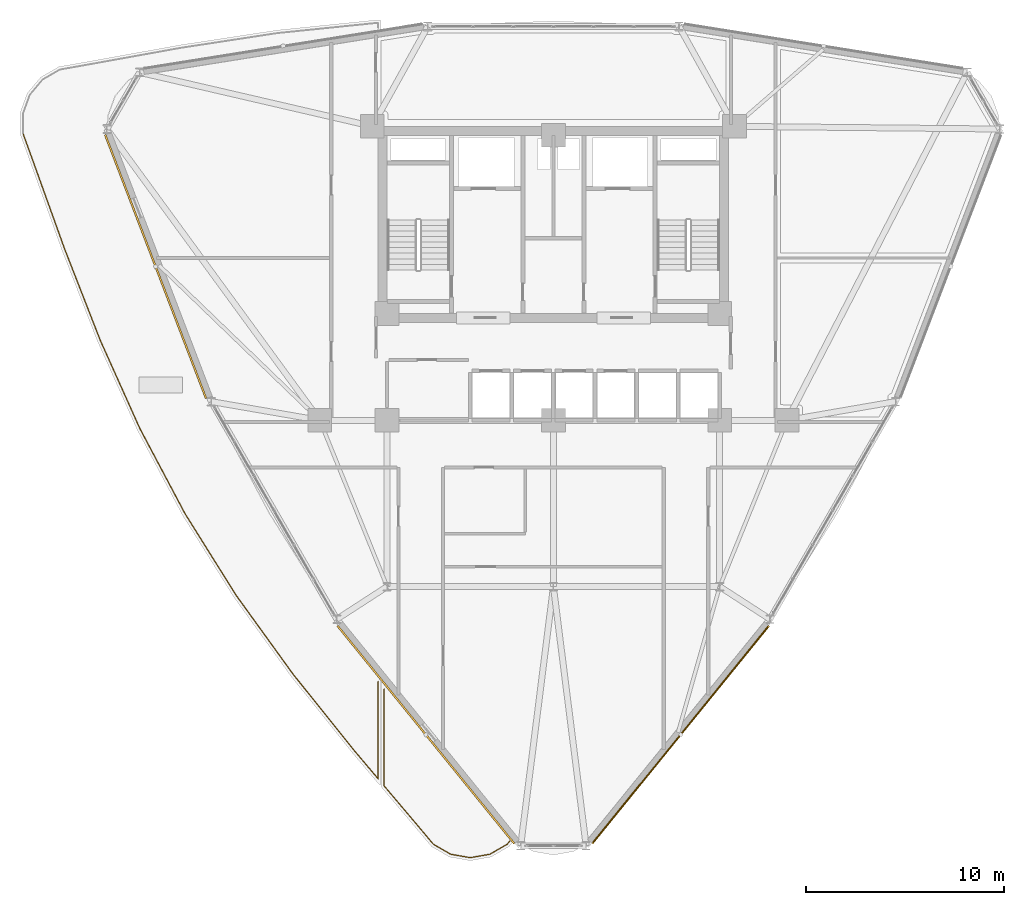
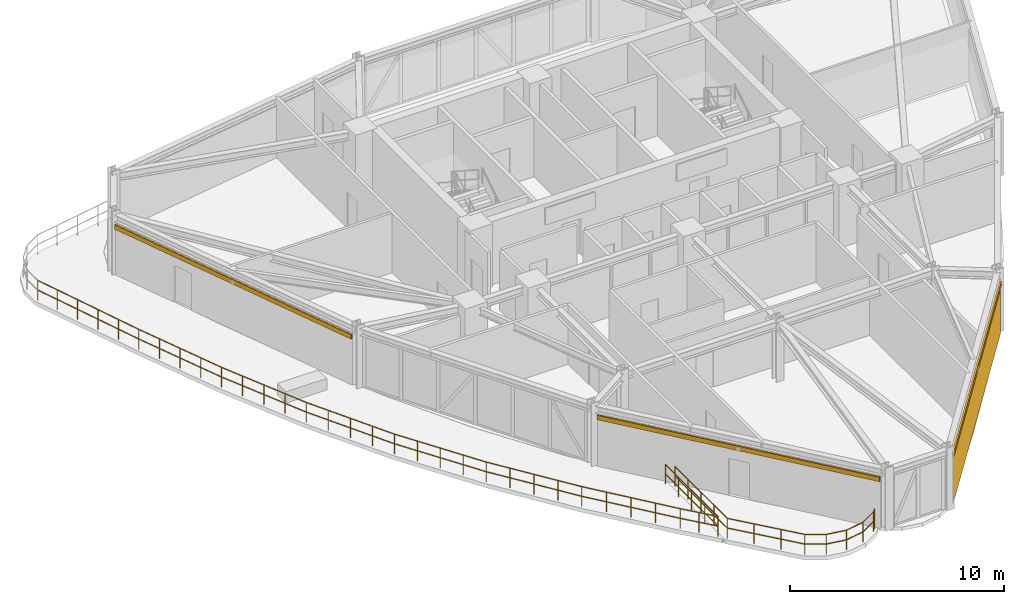
# One storey, part 16 of 18: 3 shading devices, 2 railings, 1 covering.
"""IFC4 building model written with IfcOpenShell, lengths in metres."""

from ifc_helpers import new_model, si_unit, derived_unit, direction, frame, origin, origin_2d, place, context, subcontext, project, spatial, polyline, hollow_rectangle, circle, outline, extrude, source, transform, mapped, material, layer, layer_set, material_profile, profile_set, type_object, element, save


model = new_model("IFC4")

# Units and contexts
model_context = context("Model", 3, precision=1e-05, world=origin(), true_north=direction((0.0, 1.0)))
body_context = subcontext(model_context, "Body", "Model", "MODEL_VIEW")
ifc_project = project(units=[si_unit("LENGTHUNIT", "METRE"), si_unit("AREAUNIT", "SQUARE_METRE"), si_unit("VOLUMEUNIT", "CUBIC_METRE"), si_unit("PLANEANGLEUNIT", "RADIAN"), si_unit("MASSUNIT", "GRAM", prefix="KILO"), derived_unit("THERMALTRANSMITTANCEUNIT", [(si_unit("POWERUNIT", "WATT"), 1), (si_unit("LENGTHUNIT", "METRE"), -2), (si_unit("THERMODYNAMICTEMPERATUREUNIT", "KELVIN"), -1)])], contexts=[model_context])

# Site, building, storey
site_placement = place(None, origin())
site = spatial("IfcSite", under=ifc_project, at=site_placement, CompositionType="ELEMENT")
building_placement = place(site_placement, origin())
building = spatial("IfcBuilding", under=site, at=building_placement, Name="Korsvarv Bourse and Concert Hall", CompositionType="ELEMENT")
storey_placement = place(building_placement, frame((0.0, 0.0, 168.60009765625)))
storey = spatial("IfcBuildingStorey", under=building, at=storey_placement, Name="L43", CompositionType="ELEMENT", Elevation=168.60009765625)

# Covering
ifc_material_1 = material(Name="Warm iron-oxide extruded terracotta rainscreen tile", Category="ceramic")
ifc_layer = layer(ifc_material_1, 0.044921875)
ifc_layer_set = layer_set([ifc_layer], Name="Warm iron-oxide extruded terracotta rainscreen tile")
covering_type = type_object("IfcCoveringType", Name="COV-CLD-TC", PredefinedType="CLADDING", material=ifc_layer_set)
covering_placement = place(storey_placement, origin())
element("IfcCovering", 1, at=covering_placement, inside=storey, type_object=covering_type, Name="L43 fluted terracotta cladding panel EW-L43-B10", PredefinedType="CLADDING", context=body_context, shape_type="SweptSolid", body=[
    extrude(outline(polyline([(37.9873046875, 11.110107421875), (46.8134765625, 21.986572265625), (46.848388671875, 21.958251953125), (38.0224609375, 11.081787109375), (37.9873046875, 11.110107421875)])), origin(), (0.0, 0.0, 1.0), 2.679931640625),
])

# Railings
ifc_material_2 = material(Name="Laminated safety glass and stainless Steel S355 balustrade", Category="steel")
railing_type = type_object("IfcRailingType", Name="RL-BAL-EXT", PredefinedType="BALUSTRADE", material=ifc_material_2)
railing_1_placement = place(storey_placement, frame((27.14990234375, 19.2099609375, 0.0)))
element("IfcRailing", 2, at=railing_1_placement, inside=storey, type_object=railing_type, Name="L43 terrace perimeter balustrade SKYG1-2", PredefinedType="BALUSTRADE", context=body_context, shape_type="SweptSolid", body=[
    extrude(circle(Radius=0.02392578125, at=origin_2d()), frame((0.0, 0.0, 1.1259765625), z_axis=(0.0, -1.0, 0.0), x_axis=(1.0, 0.0, 0.0)), (0.0, 0.0, 1.0), 4.9208984375),
    extrude(circle(Radius=0.02392578125, at=origin_2d()), frame((0.0, 0.0, 0.574951171875), z_axis=(0.0, -1.0, 0.0), x_axis=(1.0, 0.0, 0.0)), (0.0, 0.0, 1.0), 4.9208984375),
    extrude(circle(Radius=0.02392578125, at=origin_2d()), frame((0.0, -4.9208984375, 1.1259765625), z_axis=(-0.645696663523, 0.763594014326, 0.0), x_axis=(-0.763594014326, -0.645696663523, 0.0)), (0.0, 0.0, 1.0), 1.8720703125),
    extrude(circle(Radius=0.02392578125, at=origin_2d()), frame((0.0, -4.9208984375, 0.574951171875), z_axis=(-0.645696663523, 0.763594014326, 0.0), x_axis=(-0.763594014326, -0.645696663523, 0.0)), (0.0, 0.0, 1.0), 1.8720703125),
    extrude(circle(Radius=0.02392578125, at=origin_2d()), frame((-1.208740234375, -3.491455078125, 1.1259765625), z_axis=(-0.625121852255, 0.780527174308, 0.0), x_axis=(-0.780527174308, -0.625121852255, 0.0)), (0.0, 0.0, 1.0), 4.95166015625),
    extrude(circle(Radius=0.02392578125, at=origin_2d()), frame((-1.208740234375, -3.491455078125, 0.574951171875), z_axis=(-0.625121852255, 0.780527174308, 0.0), x_axis=(-0.780527174308, -0.625121852255, 0.0)), (0.0, 0.0, 1.0), 4.95166015625),
    extrude(circle(Radius=0.02392578125, at=origin_2d()), frame((-4.30419921875, 0.37353515625, 1.1259765625), z_axis=(-0.585399637285, 0.810744882603, 0.0), x_axis=(-0.810744882603, -0.585399637285, 0.0)), (0.0, 0.0, 1.0), 4.90234375),
    extrude(circle(Radius=0.02392578125, at=origin_2d()), frame((-4.30419921875, 0.37353515625, 0.574951171875), z_axis=(-0.585399637285, 0.810744882603, 0.0), x_axis=(-0.810744882603, -0.585399637285, 0.0)), (0.0, 0.0, 1.0), 4.90234375),
    extrude(circle(Radius=0.02392578125, at=origin_2d()), frame((-7.174072265625, 4.34814453125, 1.1259765625), z_axis=(-0.530724906516, 0.847544142569, 0.0), x_axis=(-0.847544142569, -0.530724906516, 0.0)), (0.0, 0.0, 1.0), 4.865478515625),
    extrude(circle(Radius=0.02392578125, at=origin_2d()), frame((-7.174072265625, 4.34814453125, 0.574951171875), z_axis=(-0.530724906516, 0.847544142569, 0.0), x_axis=(-0.847544142569, -0.530724906516, 0.0)), (0.0, 0.0, 1.0), 4.865478515625),
    extrude(circle(Radius=0.02392578125, at=origin_2d()), frame((-9.75634765625, 8.471923828125, 1.1259765625), z_axis=(-0.46863193541, 0.883393518832, 0.0), x_axis=(-0.883393518832, -0.46863193541, 0.0)), (0.0, 0.0, 1.0), 4.867431640625),
    extrude(circle(Radius=0.02392578125, at=origin_2d()), frame((-9.75634765625, 8.471923828125, 0.574951171875), z_axis=(-0.46863193541, 0.883393518832, 0.0), x_axis=(-0.883393518832, -0.46863193541, 0.0)), (0.0, 0.0, 1.0), 4.867431640625),
    extrude(circle(Radius=0.02392578125, at=origin_2d()), frame((-12.037353515625, 12.771728515625, 1.1259765625), z_axis=(-0.409432140551, 0.912340573626, 0.0), x_axis=(-0.912340573626, -0.409432140551, 0.0)), (0.0, 0.0, 1.0), 4.899658203125),
    extrude(circle(Radius=0.02392578125, at=origin_2d()), frame((-12.037353515625, 12.771728515625, 0.574951171875), z_axis=(-0.409432140551, 0.912340573626, 0.0), x_axis=(-0.912340573626, -0.409432140551, 0.0)), (0.0, 0.0, 1.0), 4.899658203125),
    extrude(circle(Radius=0.02392578125, at=origin_2d()), frame((-14.04345703125, 17.241943359375, 1.1259765625), z_axis=(-0.363392314948, 0.931636208741, 0.0), x_axis=(-0.931636208741, -0.363392314948, 0.0)), (0.0, 0.0, 1.0), 4.95556640625),
    extrude(circle(Radius=0.02392578125, at=origin_2d()), frame((-14.04345703125, 17.241943359375, 0.574951171875), z_axis=(-0.363392314948, 0.931636208741, 0.0), x_axis=(-0.931636208741, -0.363392314948, 0.0)), (0.0, 0.0, 1.0), 4.95556640625),
    extrude(circle(Radius=0.02392578125, at=origin_2d()), frame((-15.84423828125, 21.858642578125, 1.1259765625), z_axis=(-0.33841692186, 0.940996273637, 0.0), x_axis=(-0.940996273637, -0.33841692186, 0.0)), (0.0, 0.0, 1.0), 5.0009765625),
    extrude(circle(Radius=0.02392578125, at=origin_2d()), frame((-15.84423828125, 21.858642578125, 0.574951171875), z_axis=(-0.33841692186, 0.940996273637, 0.0), x_axis=(-0.940996273637, -0.33841692186, 0.0)), (0.0, 0.0, 1.0), 5.0009765625),
    extrude(circle(Radius=0.02392578125, at=origin_2d()), frame((-17.53662109375, 26.564453125, 1.1259765625), z_axis=(-0.342006458513, 0.939697601538, 0.0), x_axis=(-0.939697601538, -0.342006458513, 0.0)), (0.0, 0.0, 1.0), 1.190673828125),
    extrude(circle(Radius=0.02392578125, at=origin_2d()), frame((-17.53662109375, 26.564453125, 0.574951171875), z_axis=(-0.342006458513, 0.939697601538, 0.0), x_axis=(-0.939697601538, -0.342006458513, 0.0)), (0.0, 0.0, 1.0), 1.190673828125),
    extrude(circle(Radius=0.02099609375, at=origin_2d()), origin(), (0.0, 0.0, 1.0), 1.101806640625),
    extrude(circle(Radius=0.02099609375, at=origin_2d()), frame((0.0, -1.230224609375, 0.0)), (0.0, 0.0, 1.0), 1.101806640625),
    extrude(circle(Radius=0.02099609375, at=origin_2d()), frame((0.0, -2.46044921875, 0.0)), (0.0, 0.0, 1.0), 1.101806640625),
    extrude(circle(Radius=0.02099609375, at=origin_2d()), frame((0.0, -3.690673828125, 0.0)), (0.0, 0.0, 1.0), 1.101806640625),
    extrude(circle(Radius=0.02099609375, at=origin_2d()), frame((0.0, -4.9208984375, 0.0)), (0.0, 0.0, 1.0), 1.101806640625),
    extrude(circle(Radius=0.02099609375, at=origin_2d()), frame((-0.6044921875, -4.2060546875, 0.0)), (0.0, 0.0, 1.0), 1.101806640625),
    extrude(circle(Radius=0.02099609375, at=origin_2d()), frame((-1.208740234375, -3.491455078125, 0.0)), (0.0, 0.0, 1.0), 1.101806640625),
    extrude(circle(Radius=0.02099609375, at=origin_2d()), frame((-1.982666015625, -2.525146484375, 0.0)), (0.0, 0.0, 1.0), 1.101806640625),
    extrude(circle(Radius=0.02099609375, at=origin_2d()), frame((-2.75634765625, -1.55908203125, 0.0)), (0.0, 0.0, 1.0), 1.101806640625),
    extrude(circle(Radius=0.02099609375, at=origin_2d()), frame((-3.5302734375, -0.5927734375, 0.0)), (0.0, 0.0, 1.0), 1.101806640625),
    extrude(circle(Radius=0.02099609375, at=origin_2d()), frame((-4.30419921875, 0.37353515625, 0.0)), (0.0, 0.0, 1.0), 1.101806640625),
    extrude(circle(Radius=0.02099609375, at=origin_2d()), frame((-5.021728515625, 1.3671875, 0.0)), (0.0, 0.0, 1.0), 1.101806640625),
    extrude(circle(Radius=0.02099609375, at=origin_2d()), frame((-5.7392578125, 2.36083984375, 0.0)), (0.0, 0.0, 1.0), 1.101806640625),
    extrude(circle(Radius=0.02099609375, at=origin_2d()), frame((-6.45654296875, 3.3544921875, 0.0)), (0.0, 0.0, 1.0), 1.101806640625),
    extrude(circle(Radius=0.02099609375, at=origin_2d()), frame((-7.174072265625, 4.34814453125, 0.0)), (0.0, 0.0, 1.0), 1.101806640625),
    extrude(circle(Radius=0.02099609375, at=origin_2d()), frame((-7.819580078125, 5.379150390625, 0.0)), (0.0, 0.0, 1.0), 1.101806640625),
    extrude(circle(Radius=0.02099609375, at=origin_2d()), frame((-8.46533203125, 6.41015625, 0.0)), (0.0, 0.0, 1.0), 1.101806640625),
    extrude(circle(Radius=0.02099609375, at=origin_2d()), frame((-9.11083984375, 7.44091796875, 0.0)), (0.0, 0.0, 1.0), 1.101806640625),
    extrude(circle(Radius=0.02099609375, at=origin_2d()), frame((-9.75634765625, 8.471923828125, 0.0)), (0.0, 0.0, 1.0), 1.101806640625),
    extrude(circle(Radius=0.02099609375, at=origin_2d()), frame((-10.32666015625, 9.546875, 0.0)), (0.0, 0.0, 1.0), 1.101806640625),
    extrude(circle(Radius=0.02099609375, at=origin_2d()), frame((-10.89697265625, 10.621826171875, 0.0)), (0.0, 0.0, 1.0), 1.101806640625),
    extrude(circle(Radius=0.02099609375, at=origin_2d()), frame((-11.467041015625, 11.69677734375, 0.0)), (0.0, 0.0, 1.0), 1.101806640625),
    extrude(circle(Radius=0.02099609375, at=origin_2d()), frame((-12.037353515625, 12.771728515625, 0.0)), (0.0, 0.0, 1.0), 1.101806640625),
    extrude(circle(Radius=0.02099609375, at=origin_2d()), frame((-12.538818359375, 13.88916015625, 0.0)), (0.0, 0.0, 1.0), 1.101806640625),
    extrude(circle(Radius=0.02099609375, at=origin_2d()), frame((-13.04052734375, 15.0068359375, 0.0)), (0.0, 0.0, 1.0), 1.101806640625),
    extrude(circle(Radius=0.02099609375, at=origin_2d()), frame((-13.5419921875, 16.12451171875, 0.0)), (0.0, 0.0, 1.0), 1.101806640625),
    extrude(circle(Radius=0.02099609375, at=origin_2d()), frame((-14.04345703125, 17.241943359375, 0.0)), (0.0, 0.0, 1.0), 1.101806640625),
    extrude(circle(Radius=0.02099609375, at=origin_2d()), frame((-14.49365234375, 18.39599609375, 0.0)), (0.0, 0.0, 1.0), 1.101806640625),
    extrude(circle(Radius=0.02099609375, at=origin_2d()), frame((-14.94384765625, 19.55029296875, 0.0)), (0.0, 0.0, 1.0), 1.101806640625),
    extrude(circle(Radius=0.02099609375, at=origin_2d()), frame((-15.39404296875, 20.70458984375, 0.0)), (0.0, 0.0, 1.0), 1.101806640625),
    extrude(circle(Radius=0.02099609375, at=origin_2d()), frame((-15.84423828125, 21.858642578125, 0.0)), (0.0, 0.0, 1.0), 1.101806640625),
    extrude(circle(Radius=0.02099609375, at=origin_2d()), frame((-16.267333984375, 23.03515625, 0.0)), (0.0, 0.0, 1.0), 1.101806640625),
    extrude(circle(Radius=0.02099609375, at=origin_2d()), frame((-16.6904296875, 24.21142578125, 0.0)), (0.0, 0.0, 1.0), 1.101806640625),
    extrude(circle(Radius=0.02099609375, at=origin_2d()), frame((-17.113525390625, 25.387939453125, 0.0)), (0.0, 0.0, 1.0), 1.101806640625),
    extrude(circle(Radius=0.02099609375, at=origin_2d()), frame((-17.53662109375, 26.564453125, 0.0)), (0.0, 0.0, 1.0), 1.101806640625),
    extrude(circle(Radius=0.02099609375, at=origin_2d()), frame((-17.94384765625, 27.683349609375, 0.0)), (0.0, 0.0, 1.0), 1.101806640625),
])
railing_2_placement = place(storey_placement, frame((33.799560546875, 11.149169921875, 0.0)))
element("IfcRailing", 3, at=railing_2_placement, inside=storey, type_object=railing_type, Name="L43 terrace perimeter balustrade SKYG2-1", PredefinedType="BALUSTRADE", context=body_context, shape_type="SweptSolid", body=[
    extrude(circle(Radius=0.02392578125, at=origin_2d()), frame((0.0, 0.0, 1.1259765625), z_axis=(-0.642895347419, -0.765954027515, 0.0), x_axis=(0.765954027515, -0.642895347419, 0.0)), (0.0, 0.0, 1.0), 0.21240234375),
    extrude(circle(Radius=0.02392578125, at=origin_2d()), frame((0.0, 0.0, 0.574951171875), z_axis=(-0.642895347419, -0.765954027515, 0.0), x_axis=(0.765954027515, -0.642895347419, 0.0)), (0.0, 0.0, 1.0), 0.21240234375),
    extrude(circle(Radius=0.02392578125, at=origin_2d()), frame((-0.136474609375, -0.16259765625, 1.1259765625), z_axis=(-0.866040157966, -0.499974444137, 0.0), x_axis=(0.499974444137, -0.866040157966, 0.0)), (0.0, 0.0, 1.0), 1.00634765625),
    extrude(circle(Radius=0.02392578125, at=origin_2d()), frame((-0.136474609375, -0.16259765625, 0.574951171875), z_axis=(-0.866040157966, -0.499974444137, 0.0), x_axis=(0.499974444137, -0.866040157966, 0.0)), (0.0, 0.0, 1.0), 1.00634765625),
    extrude(circle(Radius=0.02392578125, at=origin_2d()), frame((-1.008056640625, -0.665771484375, 1.1259765625), z_axis=(-0.98476890802, -0.173868334659, 0.0), x_axis=(0.173868334659, -0.98476890802, 0.0)), (0.0, 0.0, 1.0), 1.0068359375),
    extrude(circle(Radius=0.02392578125, at=origin_2d()), frame((-1.008056640625, -0.665771484375, 0.574951171875), z_axis=(-0.98476890802, -0.173868334659, 0.0), x_axis=(0.173868334659, -0.98476890802, 0.0)), (0.0, 0.0, 1.0), 1.0068359375),
    extrude(circle(Radius=0.02392578125, at=origin_2d()), frame((-1.99951171875, -0.8408203125, 1.1259765625), z_axis=(-0.98476890802, 0.173868334659, 0.0), x_axis=(-0.173868334659, -0.98476890802, 0.0)), (0.0, 0.0, 1.0), 1.0068359375),
    extrude(circle(Radius=0.02392578125, at=origin_2d()), frame((-1.99951171875, -0.8408203125, 0.574951171875), z_axis=(-0.98476890802, 0.173868334659, 0.0), x_axis=(-0.173868334659, -0.98476890802, 0.0)), (0.0, 0.0, 1.0), 1.0068359375),
    extrude(circle(Radius=0.02392578125, at=origin_2d()), frame((-2.990966796875, -0.665771484375, 1.1259765625), z_axis=(-0.866040157966, 0.499974444137, 0.0), x_axis=(-0.499974444137, -0.866040157966, 0.0)), (0.0, 0.0, 1.0), 1.00634765625),
    extrude(circle(Radius=0.02392578125, at=origin_2d()), frame((-2.990966796875, -0.665771484375, 0.574951171875), z_axis=(-0.866040157966, 0.499974444137, 0.0), x_axis=(-0.499974444137, -0.866040157966, 0.0)), (0.0, 0.0, 1.0), 1.00634765625),
    extrude(circle(Radius=0.02392578125, at=origin_2d()), frame((-3.862548828125, -0.16259765625, 1.1259765625), z_axis=(-0.642968810205, 0.765892361304, 0.0), x_axis=(-0.765892361304, -0.642968810205, 0.0)), (0.0, 0.0, 1.0), 1.1796875),
    extrude(circle(Radius=0.02392578125, at=origin_2d()), frame((-3.862548828125, -0.16259765625, 0.574951171875), z_axis=(-0.642968810205, 0.765892361304, 0.0), x_axis=(-0.765892361304, -0.642968810205, 0.0)), (0.0, 0.0, 1.0), 1.1796875),
    extrude(circle(Radius=0.02392578125, at=origin_2d()), frame((-4.62109375, 0.740966796875, 1.1259765625), z_axis=(-0.645729615004, 0.763566149267, 0.0), x_axis=(-0.763566149267, -0.645729615004, 0.0)), (0.0, 0.0, 1.0), 2.6767578125),
    extrude(circle(Radius=0.02392578125, at=origin_2d()), frame((-4.62109375, 0.740966796875, 0.574951171875), z_axis=(-0.645729615004, 0.763566149267, 0.0), x_axis=(-0.763566149267, -0.645729615004, 0.0)), (0.0, 0.0, 1.0), 2.6767578125),
    extrude(circle(Radius=0.02392578125, at=origin_2d()), frame((-6.349609375, 2.784912109375, 1.1259765625), z_axis=(0.0, 1.0, 0.0), x_axis=(-1.0, 0.0, 0.0)), (0.0, 0.0, 1.0), 4.90087890625),
    extrude(circle(Radius=0.02392578125, at=origin_2d()), frame((-6.349609375, 2.784912109375, 0.574951171875), z_axis=(0.0, 1.0, 0.0), x_axis=(-1.0, 0.0, 0.0)), (0.0, 0.0, 1.0), 4.90087890625),
    extrude(circle(Radius=0.02099609375, at=origin_2d()), origin(), (0.0, 0.0, 1.0), 1.101806640625),
    extrude(circle(Radius=0.02099609375, at=origin_2d()), frame((-0.136474609375, -0.16259765625, 0.0)), (0.0, 0.0, 1.0), 1.101806640625),
    extrude(circle(Radius=0.02099609375, at=origin_2d()), frame((-1.008056640625, -0.665771484375, 0.0)), (0.0, 0.0, 1.0), 1.101806640625),
    extrude(circle(Radius=0.02099609375, at=origin_2d()), frame((-1.99951171875, -0.8408203125, 0.0)), (0.0, 0.0, 1.0), 1.101806640625),
    extrude(circle(Radius=0.02099609375, at=origin_2d()), frame((-2.990966796875, -0.665771484375, 0.0)), (0.0, 0.0, 1.0), 1.101806640625),
    extrude(circle(Radius=0.02099609375, at=origin_2d()), frame((-3.862548828125, -0.16259765625, 0.0)), (0.0, 0.0, 1.0), 1.101806640625),
    extrude(circle(Radius=0.02099609375, at=origin_2d()), frame((-4.62109375, 0.740966796875, 0.0)), (0.0, 0.0, 1.0), 1.101806640625),
    extrude(circle(Radius=0.02099609375, at=origin_2d()), frame((-5.4853515625, 1.762939453125, 0.0)), (0.0, 0.0, 1.0), 1.101806640625),
    extrude(circle(Radius=0.02099609375, at=origin_2d()), frame((-6.349609375, 2.784912109375, 0.0)), (0.0, 0.0, 1.0), 1.101806640625),
    extrude(circle(Radius=0.02099609375, at=origin_2d()), frame((-6.349609375, 4.01025390625, 0.0)), (0.0, 0.0, 1.0), 1.101806640625),
    extrude(circle(Radius=0.02099609375, at=origin_2d()), frame((-6.349609375, 5.2353515625, 0.0)), (0.0, 0.0, 1.0), 1.101806640625),
    extrude(circle(Radius=0.02099609375, at=origin_2d()), frame((-6.349609375, 6.46044921875, 0.0)), (0.0, 0.0, 1.0), 1.101806640625),
    extrude(circle(Radius=0.02099609375, at=origin_2d()), frame((-6.349609375, 7.685791015625, 0.0)), (0.0, 0.0, 1.0), 1.101806640625),
])

# Shading devices
ifc_material_3 = material(Name="Glazed extruded architectural terracotta", Category="ceramic")
ifc_material_profile = material_profile(ifc_material_3, hollow_rectangle(XDim=0.090087890625, YDim=0.260009765625, WallThickness=0.011962890625, at=origin_2d()), Name="TC-BAG 90x260")
ifc_profile_set = profile_set([ifc_material_profile], Name="Glazed extruded architectural terracotta")
shading_device_type = type_object("IfcShadingDeviceType", Name="SHD-BAG-1", PredefinedType="USERDEFINED", material=ifc_profile_set)
shared_shape_1 = source(origin(), body_context, "Body", "SweptSolid", [
    extrude(hollow_rectangle(XDim=0.090087890625, YDim=0.260009765625, WallThickness=0.011962890625, at=origin_2d()), origin(), (0.0, 0.0, 1.0), 14.263427734375),
])
shading_device_1_placement = place(storey_placement, frame((13.3583984375, 46.82568359375, 2.789794921875), z_axis=(0.357425573922, -0.933941625107, 0.0), x_axis=(0.933941625107, 0.357425573922, 0.0)))
element("IfcShadingDevice", 4, at=shading_device_1_placement, inside=storey, type_object=shading_device_type, Name="L43 terracotta baguette sunshade EW-L43-B06", ObjectType="BAGUETTE", PredefinedType="USERDEFINED", context=body_context, shape_type="MappedRepresentation", body=[
    mapped(shared_shape_1, transform((0.0, 0.0, 0.0), scale=1.0)),
])
shared_shape_2 = source(origin(), body_context, "Body", "SweptSolid", [
    extrude(hollow_rectangle(XDim=0.090087890625, YDim=0.260009765625, WallThickness=0.011962890625, at=origin_2d()), origin(), (0.0, 0.0, 1.0), 14.166748046875),
])
shading_device_2_placement = place(storey_placement, frame((25.097412109375, 22.01708984375, 2.83984375), z_axis=(0.630118895663, -0.776498665375, 0.0), x_axis=(0.776498665375, 0.630118895663, 0.0)))
element("IfcShadingDevice", 5, at=shading_device_2_placement, inside=storey, type_object=shading_device_type, Name="L43 terracotta baguette sunshade EW-L43-B08", ObjectType="BAGUETTE", PredefinedType="USERDEFINED", context=body_context, shape_type="MappedRepresentation", body=[
    mapped(shared_shape_2, transform((0.0, 0.0, 0.0), scale=1.0)),
])
shared_shape_3 = source(origin(), body_context, "Body", "SweptSolid", [
    extrude(hollow_rectangle(XDim=0.090087890625, YDim=0.260009765625, WallThickness=0.011962890625, at=origin_2d()), origin(), (0.0, 0.0, 1.0), 14.167236328125),
])
shading_device_3_placement = place(storey_placement, frame((37.968017578125, 11.022705078125, 2.83984375), z_axis=(0.630120854415, 0.776497075868, 0.0), x_axis=(-0.776497075868, 0.630120854415, 0.0)))
element("IfcShadingDevice", 6, at=shading_device_3_placement, inside=storey, type_object=shading_device_type, Name="L43 terracotta baguette sunshade EW-L43-B10", ObjectType="BAGUETTE", PredefinedType="USERDEFINED", context=body_context, shape_type="MappedRepresentation", body=[
    mapped(shared_shape_3, transform((0.0, 0.0, 0.0), scale=1.0)),
])

save(model, "model.ifc")
